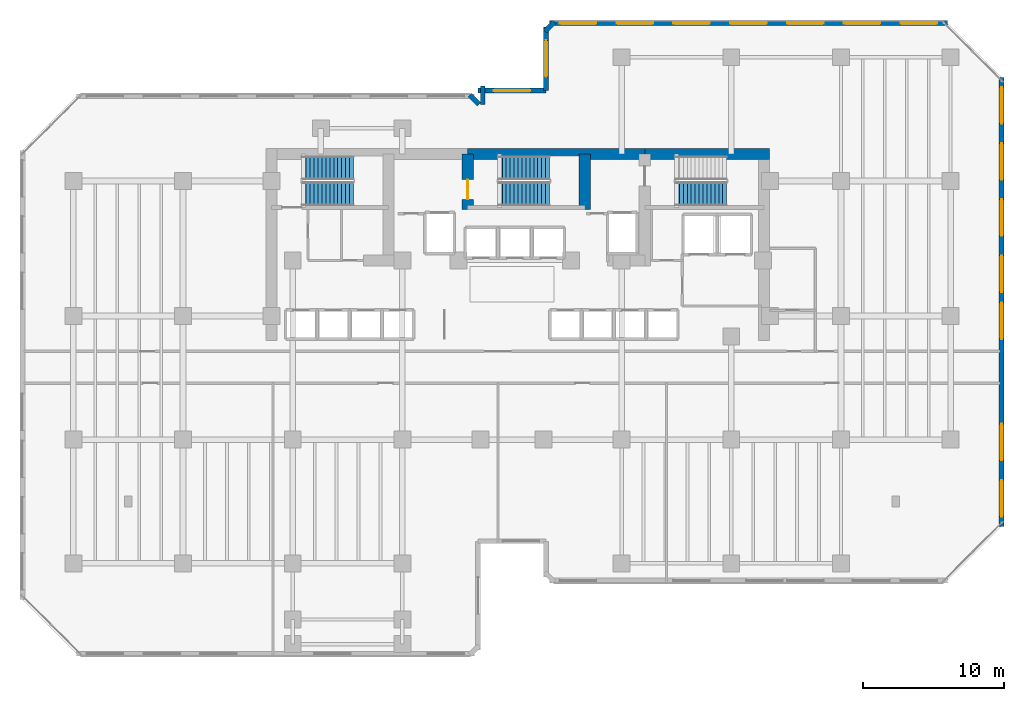
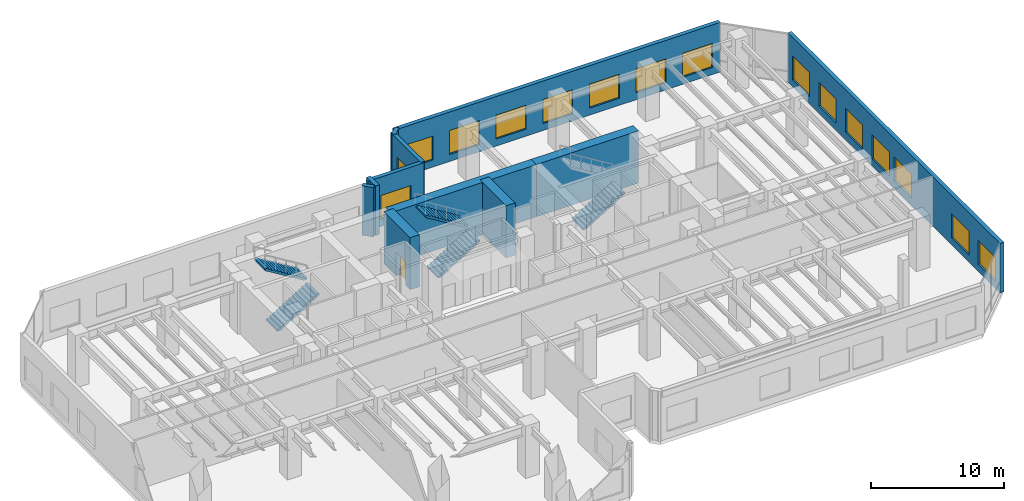
# One storey, part 13 of 17: 16 windows, 11 walls, 5 stair flights, 1 door, 17 openings, 3 elements without a shape of their own.
"""IFC4 building model written with IfcOpenShell, lengths in metres."""

from ifc_helpers import new_model, si_unit, direction, frame, frame_2d, origin, place, context, subcontext, project, spatial, polyline, rectangle, outline, extrude, material, layer, layer_set, type_object, element, fill, aggregate, save


model = new_model("IFC4")

# Units and contexts
model_context = context("Model", 3, precision=1e-05, world=origin(), true_north=direction((0.0, 1.0)))
body_context = subcontext(model_context, "Body", "Model", "MODEL_VIEW")
ifc_project = project(units=[si_unit("LENGTHUNIT", "METRE"), si_unit("AREAUNIT", "SQUARE_METRE"), si_unit("VOLUMEUNIT", "CUBIC_METRE"), si_unit("PLANEANGLEUNIT", "RADIAN"), si_unit("MASSUNIT", "GRAM", prefix="KILO")], contexts=[model_context])

# Site, building, storey
site_placement = place(None, origin())
site = spatial("IfcSite", under=ifc_project, at=site_placement, CompositionType="ELEMENT")
building_placement = place(site_placement, origin())
building = spatial("IfcBuilding", under=site, at=building_placement, Name="Kestravale Grand Hotel", CompositionType="ELEMENT")
storey_placement = place(building_placement, frame((0.0, 0.0, 129.800048828125)))
storey = spatial("IfcBuildingStorey", under=building, at=storey_placement, Name="L32", CompositionType="ELEMENT", Elevation=129.800048828125)

# Walls
ifc_material_1 = material(Name="Concrete f'c 60 MPa", Category="concrete")
ifc_layer_1 = layer(ifc_material_1, 0.800048828125)
ifc_layer_set_1 = layer_set([ifc_layer_1], Name="EW-CORE-800")
wall_type_1 = type_object("IfcWallType", Name="EW-CORE-800", PredefinedType="SHEAR", material=ifc_layer_set_1)
wall_1_placement = place(storey_placement, frame((35.85009765625, 40.320068359375, 0.0), z_axis=(0.0, 0.0, 1.0), x_axis=(1.0, 0.0, 0.0)))
element("IfcWall", 1, at=wall_1_placement, inside=storey, type_object=wall_type_1, Name="L32 core shear wall N2", PredefinedType="SHEAR", context=body_context, shape_type="SweptSolid", body=[
    extrude(rectangle(XDim=12.599853515625, YDim=0.800048828125, at=frame_2d((6.2998046875, 0.0))), origin(), (0.0, 0.0, 1.0), 4.800048828125),
])
wall_2_placement = place(storey_placement, frame((48.449951171875, 40.320068359375, 0.0), z_axis=(0.0, 0.0, 1.0), x_axis=(1.0, 0.0, 0.0)))
element("IfcWall", 2, at=wall_2_placement, inside=storey, type_object=wall_type_1, Name="L32 core shear wall N3", PredefinedType="SHEAR", context=body_context, shape_type="SweptSolid", body=[
    extrude(rectangle(XDim=8.8701171875, YDim=0.800048828125, at=frame_2d((4.43505859375, 0.0))), origin(), (0.0, 0.0, 1.0), 4.800048828125),
])

# Wall, opening, door
wall_3_placement = place(storey_placement, frame((35.85009765625, 36.3701171875, 0.0), z_axis=(0.0, 0.0, 1.0), x_axis=(0.0, 1.0, 0.0)))
wall_3 = element("IfcWall", 3, at=wall_3_placement, inside=storey, type_object=wall_type_1, Name="L32 core shear wall X2", PredefinedType="SHEAR", context=body_context, shape_type="SweptSolid", body=[
    extrude(rectangle(XDim=3.949951171875, YDim=0.800048828125, at=frame_2d((1.97509765625, 0.0))), origin(), (0.0, 0.0, 1.0), 4.800048828125),
])
opening_1_placement = place(wall_3_placement, frame((0.72998046875, 0.0, 0.0)))
opening_1 = element("IfcOpeningElement", 4, at=opening_1_placement, cuts=wall_3, Name="Opening D-ST-1400", PredefinedType="OPENING", context=body_context, shape_type="SweptSolid", body=[
    extrude(rectangle(XDim=1.39990234375, YDim=2.14990234375, at=frame_2d((0.699951171875, 1.074951171875))), frame((0.0, 0.409912109375, 0.0), z_axis=(0.0, -1.0, 0.0), x_axis=(1.0, 0.0, 0.0)), (0.0, 0.0, 1.0), 0.820068359375),
])
ifc_material_2 = material(Name="Galvanised 90-minute fire-rated steel stair door, double leaf", Category="steel")
door_type = type_object("IfcDoorType", Name="D-ST-1400", OperationType="NOTDEFINED", PredefinedType="DOOR", material=ifc_material_2)
door_placement = place(opening_1_placement, origin())
door = element("IfcDoor", 5, at=door_placement, inside=storey, type_object=door_type, Name="L32 Stair ST-2 FSAE fire door", OperationType="DOUBLE_DOOR_SINGLE_SWING", OverallHeight=2.14990234375, OverallWidth=1.39990234375, PredefinedType="DOOR", context=body_context, shape_type="SweptSolid", body=[
    extrude(rectangle(XDim=1.39990234375, YDim=2.14990234375, at=frame_2d((0.699951171875, 1.074951171875))), frame((0.0, 0.02490234375, 0.0), z_axis=(0.0, -1.0, 0.0), x_axis=(1.0, 0.0, 0.0)), (0.0, 0.0, 1.0), 0.050048828125),
])
fill(opening_1, door)

# Wall
wall_4_placement = place(storey_placement, frame((44.179931640625, 36.3701171875, 0.0), z_axis=(0.0, 0.0, 1.0), x_axis=(0.0, 1.0, 0.0)))
element("IfcWall", 6, at=wall_4_placement, inside=storey, type_object=wall_type_1, Name="L32 core shear wall X3", PredefinedType="SHEAR", context=body_context, shape_type="SweptSolid", body=[
    extrude(rectangle(XDim=3.949951171875, YDim=0.800048828125, at=frame_2d((1.97509765625, 0.0))), origin(), (0.0, 0.0, 1.0), 4.800048828125),
])

# Wall, openings, windows
ifc_material_3 = material(Name="Precast concrete f'c 45 MPa", Category="concrete")
ifc_layer_2 = layer(ifc_material_3, 0.340087890625)
ifc_layer_set_2 = layer_set([ifc_layer_2], Name="EW-PREC-340")
wall_type_2 = type_object("IfcWallType", Name="EW-PREC-340", PredefinedType="SOLIDWALL", material=ifc_layer_set_2)
wall_5_placement = place(storey_placement, frame((73.830078125, 13.830078125, 0.0), z_axis=(0.0, 0.0, 1.0), x_axis=(0.0, 1.0, 0.0)))
wall_5 = element("IfcWall", 7, at=wall_5_placement, inside=storey, type_object=wall_type_2, Name="L32 fluted precast facade wall 9", PredefinedType="SOLIDWALL", context=body_context, shape_type="SweptSolid", body=[
    extrude(rectangle(XDim=31.93994140625, YDim=0.340087890625, at=frame_2d((15.969970703125, 0.0))), origin(), (0.0, 0.0, 1.0), 4.550048828125),
])
opening_2_placement = place(wall_5_placement, frame((0.6962890625, 0.0, 0.64990234375)))
opening_2 = element("IfcOpeningElement", 8, at=opening_2_placement, cuts=wall_5, Name="Opening W-SKY-2600", PredefinedType="OPENING", context=body_context, shape_type="SweptSolid", body=[
    extrude(rectangle(XDim=2.60009765625, YDim=2.199951171875, at=frame_2d((1.300048828125, 1.10009765625))), frame((0.0, 0.179931640625, 0.0), z_axis=(0.0, -1.0, 0.0), x_axis=(1.0, 0.0, 0.0)), (0.0, 0.0, 1.0), 0.360107421875),
])
opening_3_placement = place(wall_5_placement, frame((4.688720703125, 0.0, 0.64990234375)))
opening_3 = element("IfcOpeningElement", 9, at=opening_3_placement, cuts=wall_5, Name="Opening W-SKY-2600", PredefinedType="OPENING", context=body_context, shape_type="SweptSolid", body=[
    extrude(rectangle(XDim=2.60009765625, YDim=2.199951171875, at=frame_2d((1.300048828125, 1.10009765625))), frame((0.0, 0.179931640625, 0.0), z_axis=(0.0, -1.0, 0.0), x_axis=(1.0, 0.0, 0.0)), (0.0, 0.0, 1.0), 0.360107421875),
])
opening_4_placement = place(wall_5_placement, frame((13.32373046875, 0.0, 0.64990234375)))
opening_4 = element("IfcOpeningElement", 10, at=opening_4_placement, cuts=wall_5, Name="Opening W-SKY-2600", PredefinedType="OPENING", context=body_context, shape_type="SweptSolid", body=[
    extrude(rectangle(XDim=2.60009765625, YDim=2.199951171875, at=frame_2d((1.300048828125, 1.10009765625))), frame((0.0, 0.179931640625, 0.0), z_axis=(0.0, -1.0, 0.0), x_axis=(1.0, 0.0, 0.0)), (0.0, 0.0, 1.0), 0.360107421875),
])
opening_5_placement = place(wall_5_placement, frame((16.666259765625, 0.0, 0.64990234375)))
opening_5 = element("IfcOpeningElement", 11, at=opening_5_placement, cuts=wall_5, Name="Opening W-SKY-2600", PredefinedType="OPENING", context=body_context, shape_type="SweptSolid", body=[
    extrude(rectangle(XDim=2.60009765625, YDim=2.199951171875, at=frame_2d((1.300048828125, 1.10009765625))), frame((0.0, 0.179931640625, 0.0), z_axis=(0.0, -1.0, 0.0), x_axis=(1.0, 0.0, 0.0)), (0.0, 0.0, 1.0), 0.360107421875),
])
opening_6_placement = place(wall_5_placement, frame((20.65869140625, 0.0, 0.64990234375)))
opening_6 = element("IfcOpeningElement", 12, at=opening_6_placement, cuts=wall_5, Name="Opening W-SKY-2600", PredefinedType="OPENING", context=body_context, shape_type="SweptSolid", body=[
    extrude(rectangle(XDim=2.60009765625, YDim=2.199951171875, at=frame_2d((1.300048828125, 1.10009765625))), frame((0.0, 0.179931640625, 0.0), z_axis=(0.0, -1.0, 0.0), x_axis=(1.0, 0.0, 0.0)), (0.0, 0.0, 1.0), 0.360107421875),
])
opening_7_placement = place(wall_5_placement, frame((24.6513671875, 0.0, 0.64990234375)))
opening_7 = element("IfcOpeningElement", 13, at=opening_7_placement, cuts=wall_5, Name="Opening W-SKY-2600", PredefinedType="OPENING", context=body_context, shape_type="SweptSolid", body=[
    extrude(rectangle(XDim=2.60009765625, YDim=2.199951171875, at=frame_2d((1.300048828125, 1.10009765625))), frame((0.0, 0.179931640625, 0.0), z_axis=(0.0, -1.0, 0.0), x_axis=(1.0, 0.0, 0.0)), (0.0, 0.0, 1.0), 0.360107421875),
])
opening_8_placement = place(wall_5_placement, frame((28.643798828125, 0.0, 0.64990234375)))
opening_8 = element("IfcOpeningElement", 14, at=opening_8_placement, cuts=wall_5, Name="Opening W-SKY-2600", PredefinedType="OPENING", context=body_context, shape_type="SweptSolid", body=[
    extrude(rectangle(XDim=2.60009765625, YDim=2.199951171875, at=frame_2d((1.300048828125, 1.10009765625))), frame((0.0, 0.179931640625, 0.0), z_axis=(0.0, -1.0, 0.0), x_axis=(1.0, 0.0, 0.0)), (0.0, 0.0, 1.0), 0.360107421875),
])
ifc_material_4 = material(Name="Insulated low-E double glazing in aluminium frame", Category="aluminium")
window_type = type_object("IfcWindowType", Name="W-SKY-2600", PartitioningType="TRIPLE_PANEL_VERTICAL", PredefinedType="WINDOW", material=ifc_material_4)
window_1_placement = place(opening_2_placement, origin())
window_1 = element("IfcWindow", 15, at=window_1_placement, inside=storey, type_object=window_type, Name="L32 exterior window 9.1", OverallHeight=2.199951171875, OverallWidth=2.60009765625, PartitioningType="SINGLE_PANEL", PredefinedType="WINDOW", context=body_context, shape_type="SweptSolid", body=[
    extrude(rectangle(XDim=2.60009765625, YDim=2.199951171875, at=frame_2d((1.300048828125, 1.10009765625))), frame((0.0, 0.030029296875, 0.0), z_axis=(0.0, -1.0, 0.0), x_axis=(1.0, 0.0, 0.0)), (0.0, 0.0, 1.0), 0.06005859375),
])
fill(opening_2, window_1)
window_2_placement = place(opening_3_placement, origin())
window_2 = element("IfcWindow", 16, at=window_2_placement, inside=storey, type_object=window_type, Name="L32 exterior window 9.2", OverallHeight=2.199951171875, OverallWidth=2.60009765625, PartitioningType="SINGLE_PANEL", PredefinedType="WINDOW", context=body_context, shape_type="SweptSolid", body=[
    extrude(rectangle(XDim=2.60009765625, YDim=2.199951171875, at=frame_2d((1.300048828125, 1.10009765625))), frame((0.0, 0.030029296875, 0.0), z_axis=(0.0, -1.0, 0.0), x_axis=(1.0, 0.0, 0.0)), (0.0, 0.0, 1.0), 0.06005859375),
])
fill(opening_3, window_2)
window_3_placement = place(opening_4_placement, origin())
window_3 = element("IfcWindow", 17, at=window_3_placement, inside=storey, type_object=window_type, Name="L32 exterior window 9.3", OverallHeight=2.199951171875, OverallWidth=2.60009765625, PartitioningType="SINGLE_PANEL", PredefinedType="WINDOW", context=body_context, shape_type="SweptSolid", body=[
    extrude(rectangle(XDim=2.60009765625, YDim=2.199951171875, at=frame_2d((1.300048828125, 1.10009765625))), frame((0.0, 0.030029296875, 0.0), z_axis=(0.0, -1.0, 0.0), x_axis=(1.0, 0.0, 0.0)), (0.0, 0.0, 1.0), 0.06005859375),
])
fill(opening_4, window_3)
window_4_placement = place(opening_5_placement, origin())
window_4 = element("IfcWindow", 18, at=window_4_placement, inside=storey, type_object=window_type, Name="L32 exterior window 9.4", OverallHeight=2.199951171875, OverallWidth=2.60009765625, PartitioningType="SINGLE_PANEL", PredefinedType="WINDOW", context=body_context, shape_type="SweptSolid", body=[
    extrude(rectangle(XDim=2.60009765625, YDim=2.199951171875, at=frame_2d((1.300048828125, 1.10009765625))), frame((0.0, 0.030029296875, 0.0), z_axis=(0.0, -1.0, 0.0), x_axis=(1.0, 0.0, 0.0)), (0.0, 0.0, 1.0), 0.06005859375),
])
fill(opening_5, window_4)
window_5_placement = place(opening_6_placement, origin())
window_5 = element("IfcWindow", 19, at=window_5_placement, inside=storey, type_object=window_type, Name="L32 exterior window 9.5", OverallHeight=2.199951171875, OverallWidth=2.60009765625, PartitioningType="SINGLE_PANEL", PredefinedType="WINDOW", context=body_context, shape_type="SweptSolid", body=[
    extrude(rectangle(XDim=2.60009765625, YDim=2.199951171875, at=frame_2d((1.300048828125, 1.10009765625))), frame((0.0, 0.030029296875, 0.0), z_axis=(0.0, -1.0, 0.0), x_axis=(1.0, 0.0, 0.0)), (0.0, 0.0, 1.0), 0.06005859375),
])
fill(opening_6, window_5)
window_6_placement = place(opening_7_placement, origin())
window_6 = element("IfcWindow", 20, at=window_6_placement, inside=storey, type_object=window_type, Name="L32 exterior window 9.6", OverallHeight=2.199951171875, OverallWidth=2.60009765625, PartitioningType="SINGLE_PANEL", PredefinedType="WINDOW", context=body_context, shape_type="SweptSolid", body=[
    extrude(rectangle(XDim=2.60009765625, YDim=2.199951171875, at=frame_2d((1.300048828125, 1.10009765625))), frame((0.0, 0.030029296875, 0.0), z_axis=(0.0, -1.0, 0.0), x_axis=(1.0, 0.0, 0.0)), (0.0, 0.0, 1.0), 0.06005859375),
])
fill(opening_7, window_6)
window_7_placement = place(opening_8_placement, origin())
window_7 = element("IfcWindow", 21, at=window_7_placement, inside=storey, type_object=window_type, Name="L32 exterior window 9.7", OverallHeight=2.199951171875, OverallWidth=2.60009765625, PartitioningType="SINGLE_PANEL", PredefinedType="WINDOW", context=body_context, shape_type="SweptSolid", body=[
    extrude(rectangle(XDim=2.60009765625, YDim=2.199951171875, at=frame_2d((1.300048828125, 1.10009765625))), frame((0.0, 0.030029296875, 0.0), z_axis=(0.0, -1.0, 0.0), x_axis=(1.0, 0.0, 0.0)), (0.0, 0.0, 1.0), 0.06005859375),
])
fill(opening_8, window_7)

wall_6_placement = place(storey_placement, frame((69.969970703125, 49.6298828125, 0.0), z_axis=(0.0, 0.0, 1.0), x_axis=(-1.0, 0.0, 0.0)))
wall_6 = element("IfcWall", 22, at=wall_6_placement, inside=storey, type_object=wall_type_2, Name="L32 fluted precast facade wall 11", PredefinedType="SOLIDWALL", context=body_context, shape_type="SweptSolid", body=[
    extrude(rectangle(XDim=28.2900390625, YDim=0.340087890625, at=frame_2d((14.14501953125, 0.0))), origin(), (0.0, 0.0, 1.0), 4.550048828125),
])
opening_9_placement = place(wall_6_placement, frame((0.720703125, 0.0, 0.64990234375)))
opening_9 = element("IfcOpeningElement", 23, at=opening_9_placement, cuts=wall_6, Name="Opening W-SKY-2600", PredefinedType="OPENING", context=body_context, shape_type="SweptSolid", body=[
    extrude(rectangle(XDim=2.60009765625, YDim=2.199951171875, at=frame_2d((1.300048828125, 1.10009765625))), frame((0.0, 0.179931640625, 0.0), z_axis=(0.0, -1.0, 0.0), x_axis=(1.0, 0.0, 0.0)), (0.0, 0.0, 1.0), 0.360107421875),
])
opening_10_placement = place(wall_6_placement, frame((4.76220703125, 0.0, 0.64990234375)))
opening_10 = element("IfcOpeningElement", 24, at=opening_10_placement, cuts=wall_6, Name="Opening W-SKY-2600", PredefinedType="OPENING", context=body_context, shape_type="SweptSolid", body=[
    extrude(rectangle(XDim=2.60009765625, YDim=2.199951171875, at=frame_2d((1.300048828125, 1.10009765625))), frame((0.0, 0.179931640625, 0.0), z_axis=(0.0, -1.0, 0.0), x_axis=(1.0, 0.0, 0.0)), (0.0, 0.0, 1.0), 0.360107421875),
])
opening_11_placement = place(wall_6_placement, frame((8.8037109375, 0.0, 0.64990234375)))
opening_11 = element("IfcOpeningElement", 25, at=opening_11_placement, cuts=wall_6, Name="Opening W-SKY-2600", PredefinedType="OPENING", context=body_context, shape_type="SweptSolid", body=[
    extrude(rectangle(XDim=2.60009765625, YDim=2.199951171875, at=frame_2d((1.300048828125, 1.10009765625))), frame((0.0, 0.179931640625, 0.0), z_axis=(0.0, -1.0, 0.0), x_axis=(1.0, 0.0, 0.0)), (0.0, 0.0, 1.0), 0.360107421875),
])
opening_12_placement = place(wall_6_placement, frame((12.844970703125, 0.0, 0.64990234375)))
opening_12 = element("IfcOpeningElement", 26, at=opening_12_placement, cuts=wall_6, Name="Opening W-SKY-2600", PredefinedType="OPENING", context=body_context, shape_type="SweptSolid", body=[
    extrude(rectangle(XDim=2.60009765625, YDim=2.199951171875, at=frame_2d((1.300048828125, 1.10009765625))), frame((0.0, 0.179931640625, 0.0), z_axis=(0.0, -1.0, 0.0), x_axis=(1.0, 0.0, 0.0)), (0.0, 0.0, 1.0), 0.360107421875),
])
opening_13_placement = place(wall_6_placement, frame((16.886474609375, 0.0, 0.64990234375)))
opening_13 = element("IfcOpeningElement", 27, at=opening_13_placement, cuts=wall_6, Name="Opening W-SKY-2600", PredefinedType="OPENING", context=body_context, shape_type="SweptSolid", body=[
    extrude(rectangle(XDim=2.60009765625, YDim=2.199951171875, at=frame_2d((1.300048828125, 1.10009765625))), frame((0.0, 0.179931640625, 0.0), z_axis=(0.0, -1.0, 0.0), x_axis=(1.0, 0.0, 0.0)), (0.0, 0.0, 1.0), 0.360107421875),
])
opening_14_placement = place(wall_6_placement, frame((20.927978515625, 0.0, 0.64990234375)))
opening_14 = element("IfcOpeningElement", 28, at=opening_14_placement, cuts=wall_6, Name="Opening W-SKY-2600", PredefinedType="OPENING", context=body_context, shape_type="SweptSolid", body=[
    extrude(rectangle(XDim=2.60009765625, YDim=2.199951171875, at=frame_2d((1.300048828125, 1.10009765625))), frame((0.0, 0.179931640625, 0.0), z_axis=(0.0, -1.0, 0.0), x_axis=(1.0, 0.0, 0.0)), (0.0, 0.0, 1.0), 0.360107421875),
])
opening_15_placement = place(wall_6_placement, frame((24.96923828125, 0.0, 0.64990234375)))
opening_15 = element("IfcOpeningElement", 29, at=opening_15_placement, cuts=wall_6, Name="Opening W-SKY-2600", PredefinedType="OPENING", context=body_context, shape_type="SweptSolid", body=[
    extrude(rectangle(XDim=2.60009765625, YDim=2.199951171875, at=frame_2d((1.300048828125, 1.10009765625))), frame((0.0, 0.179931640625, 0.0), z_axis=(0.0, -1.0, 0.0), x_axis=(1.0, 0.0, 0.0)), (0.0, 0.0, 1.0), 0.360107421875),
])
window_8_placement = place(opening_9_placement, origin())
window_8 = element("IfcWindow", 30, at=window_8_placement, inside=storey, type_object=window_type, Name="L32 exterior window 11.1", OverallHeight=2.199951171875, OverallWidth=2.60009765625, PartitioningType="SINGLE_PANEL", PredefinedType="WINDOW", context=body_context, shape_type="SweptSolid", body=[
    extrude(rectangle(XDim=2.60009765625, YDim=2.199951171875, at=frame_2d((1.300048828125, 1.10009765625))), frame((0.0, 0.030029296875, 0.0), z_axis=(0.0, -1.0, 0.0), x_axis=(1.0, 0.0, 0.0)), (0.0, 0.0, 1.0), 0.06005859375),
])
fill(opening_9, window_8)
window_9_placement = place(opening_10_placement, origin())
window_9 = element("IfcWindow", 31, at=window_9_placement, inside=storey, type_object=window_type, Name="L32 exterior window 11.2", OverallHeight=2.199951171875, OverallWidth=2.60009765625, PartitioningType="SINGLE_PANEL", PredefinedType="WINDOW", context=body_context, shape_type="SweptSolid", body=[
    extrude(rectangle(XDim=2.60009765625, YDim=2.199951171875, at=frame_2d((1.300048828125, 1.10009765625))), frame((0.0, 0.030029296875, 0.0), z_axis=(0.0, -1.0, 0.0), x_axis=(1.0, 0.0, 0.0)), (0.0, 0.0, 1.0), 0.06005859375),
])
fill(opening_10, window_9)
window_10_placement = place(opening_11_placement, origin())
window_10 = element("IfcWindow", 32, at=window_10_placement, inside=storey, type_object=window_type, Name="L32 exterior window 11.3", OverallHeight=2.199951171875, OverallWidth=2.60009765625, PartitioningType="SINGLE_PANEL", PredefinedType="WINDOW", context=body_context, shape_type="SweptSolid", body=[
    extrude(rectangle(XDim=2.60009765625, YDim=2.199951171875, at=frame_2d((1.300048828125, 1.10009765625))), frame((0.0, 0.030029296875, 0.0), z_axis=(0.0, -1.0, 0.0), x_axis=(1.0, 0.0, 0.0)), (0.0, 0.0, 1.0), 0.06005859375),
])
fill(opening_11, window_10)
window_11_placement = place(opening_12_placement, origin())
window_11 = element("IfcWindow", 33, at=window_11_placement, inside=storey, type_object=window_type, Name="L32 exterior window 11.4", OverallHeight=2.199951171875, OverallWidth=2.60009765625, PartitioningType="SINGLE_PANEL", PredefinedType="WINDOW", context=body_context, shape_type="SweptSolid", body=[
    extrude(rectangle(XDim=2.60009765625, YDim=2.199951171875, at=frame_2d((1.300048828125, 1.10009765625))), frame((0.0, 0.030029296875, 0.0), z_axis=(0.0, -1.0, 0.0), x_axis=(1.0, 0.0, 0.0)), (0.0, 0.0, 1.0), 0.06005859375),
])
fill(opening_12, window_11)
window_12_placement = place(opening_13_placement, origin())
window_12 = element("IfcWindow", 34, at=window_12_placement, inside=storey, type_object=window_type, Name="L32 exterior window 11.5", OverallHeight=2.199951171875, OverallWidth=2.60009765625, PartitioningType="SINGLE_PANEL", PredefinedType="WINDOW", context=body_context, shape_type="SweptSolid", body=[
    extrude(rectangle(XDim=2.60009765625, YDim=2.199951171875, at=frame_2d((1.300048828125, 1.10009765625))), frame((0.0, 0.030029296875, 0.0), z_axis=(0.0, -1.0, 0.0), x_axis=(1.0, 0.0, 0.0)), (0.0, 0.0, 1.0), 0.06005859375),
])
fill(opening_13, window_12)
window_13_placement = place(opening_14_placement, origin())
window_13 = element("IfcWindow", 35, at=window_13_placement, inside=storey, type_object=window_type, Name="L32 exterior window 11.6", OverallHeight=2.199951171875, OverallWidth=2.60009765625, PartitioningType="SINGLE_PANEL", PredefinedType="WINDOW", context=body_context, shape_type="SweptSolid", body=[
    extrude(rectangle(XDim=2.60009765625, YDim=2.199951171875, at=frame_2d((1.300048828125, 1.10009765625))), frame((0.0, 0.030029296875, 0.0), z_axis=(0.0, -1.0, 0.0), x_axis=(1.0, 0.0, 0.0)), (0.0, 0.0, 1.0), 0.06005859375),
])
fill(opening_14, window_13)
window_14_placement = place(opening_15_placement, origin())
window_14 = element("IfcWindow", 36, at=window_14_placement, inside=storey, type_object=window_type, Name="L32 exterior window 11.7", OverallHeight=2.199951171875, OverallWidth=2.60009765625, PartitioningType="SINGLE_PANEL", PredefinedType="WINDOW", context=body_context, shape_type="SweptSolid", body=[
    extrude(rectangle(XDim=2.60009765625, YDim=2.199951171875, at=frame_2d((1.300048828125, 1.10009765625))), frame((0.0, 0.030029296875, 0.0), z_axis=(0.0, -1.0, 0.0), x_axis=(1.0, 0.0, 0.0)), (0.0, 0.0, 1.0), 0.06005859375),
])
fill(opening_15, window_14)

# Wall
wall_7_placement = place(storey_placement, frame((41.99853515625, 49.7080078125, 0.0), z_axis=(0.0, 0.0, 1.0), x_axis=(-0.707238225886, -0.706975312048, 0.0)))
element("IfcWall", 37, at=wall_7_placement, inside=storey, type_object=wall_type_2, Name="L32 fluted precast facade wall 12", PredefinedType="SOLIDWALL", context=body_context, shape_type="SweptSolid", body=[
    extrude(rectangle(XDim=0.9287109375, YDim=0.340087890625, at=frame_2d((0.46435546875, 0.0))), origin(), (0.0, 0.0, 1.0), 4.550048828125),
])

# Wall, opening, window
wall_8_placement = place(storey_placement, frame((41.419921875, 49.3701171875, 0.0), z_axis=(0.0, 0.0, 1.0), x_axis=(0.0, -1.0, 0.0)))
wall_8 = element("IfcWall", 38, at=wall_8_placement, inside=storey, type_object=wall_type_2, Name="L32 fluted precast facade wall 13", PredefinedType="SOLIDWALL", context=body_context, shape_type="SweptSolid", body=[
    extrude(rectangle(XDim=4.5400390625, YDim=0.340087890625, at=frame_2d((2.27001953125, 0.0))), origin(), (0.0, 0.0, 1.0), 4.550048828125),
])
opening_16_placement = place(wall_8_placement, frame((0.969970703125, 0.0, 0.64990234375)))
opening_16 = element("IfcOpeningElement", 39, at=opening_16_placement, cuts=wall_8, Name="Opening W-SKY-2600", PredefinedType="OPENING", context=body_context, shape_type="SweptSolid", body=[
    extrude(rectangle(XDim=2.60009765625, YDim=2.199951171875, at=frame_2d((1.300048828125, 1.10009765625))), frame((0.0, 0.179931640625, 0.0), z_axis=(0.0, -1.0, 0.0), x_axis=(1.0, 0.0, 0.0)), (0.0, 0.0, 1.0), 0.360107421875),
])
window_15_placement = place(opening_16_placement, origin())
window_15 = element("IfcWindow", 40, at=window_15_placement, inside=storey, type_object=window_type, Name="L32 exterior window 13.1", OverallHeight=2.199951171875, OverallWidth=2.60009765625, PartitioningType="SINGLE_PANEL", PredefinedType="WINDOW", context=body_context, shape_type="SweptSolid", body=[
    extrude(rectangle(XDim=2.60009765625, YDim=2.199951171875, at=frame_2d((1.300048828125, 1.10009765625))), frame((0.0, 0.030029296875, 0.0), z_axis=(0.0, -1.0, 0.0), x_axis=(1.0, 0.0, 0.0)), (0.0, 0.0, 1.0), 0.06005859375),
])
fill(opening_16, window_15)

wall_9_placement = place(storey_placement, frame((41.419921875, 44.830078125, 0.0), z_axis=(0.0, 0.0, 1.0), x_axis=(-1.0, 0.0, 0.0)))
wall_9 = element("IfcWall", 41, at=wall_9_placement, inside=storey, type_object=wall_type_2, Name="L32 fluted precast facade wall 14", PredefinedType="SOLIDWALL", context=body_context, shape_type="SweptSolid", body=[
    extrude(rectangle(XDim=4.83984375, YDim=0.340087890625, at=frame_2d((2.419921875, 0.0))), origin(), (0.0, 0.0, 1.0), 4.550048828125),
])
opening_17_placement = place(wall_9_placement, frame((1.1201171875, 0.0, 0.64990234375)))
opening_17 = element("IfcOpeningElement", 42, at=opening_17_placement, cuts=wall_9, Name="Opening W-SKY-2600", PredefinedType="OPENING", context=body_context, shape_type="SweptSolid", body=[
    extrude(rectangle(XDim=2.60009765625, YDim=2.199951171875, at=frame_2d((1.300048828125, 1.10009765625))), frame((0.0, 0.179931640625, 0.0), z_axis=(0.0, -1.0, 0.0), x_axis=(1.0, 0.0, 0.0)), (0.0, 0.0, 1.0), 0.360107421875),
])
window_16_placement = place(opening_17_placement, origin())
window_16 = element("IfcWindow", 43, at=window_16_placement, inside=storey, type_object=window_type, Name="L32 exterior window 14.1", OverallHeight=2.199951171875, OverallWidth=2.60009765625, PartitioningType="SINGLE_PANEL", PredefinedType="WINDOW", context=body_context, shape_type="SweptSolid", body=[
    extrude(rectangle(XDim=2.60009765625, YDim=2.199951171875, at=frame_2d((1.300048828125, 1.10009765625))), frame((0.0, 0.030029296875, 0.0), z_axis=(0.0, -1.0, 0.0), x_axis=(1.0, 0.0, 0.0)), (0.0, 0.0, 1.0), 0.06005859375),
])
fill(opening_17, window_16)

# Walls
wall_10_placement = place(storey_placement, frame((36.919921875, 45.169921875, 0.0), z_axis=(0.0, 0.0, 1.0), x_axis=(0.0, -1.0, 0.0)))
element("IfcWall", 44, at=wall_10_placement, inside=storey, type_object=wall_type_2, Name="L32 fluted precast facade wall 15", PredefinedType="SOLIDWALL", context=body_context, shape_type="SweptSolid", body=[
    extrude(rectangle(XDim=1.33984375, YDim=0.340087890625, at=frame_2d((0.669921875, 0.0))), origin(), (0.0, 0.0, 1.0), 4.550048828125),
])
wall_11_placement = place(storey_placement, frame((36.658203125, 43.8515625, 0.0), z_axis=(0.0, 0.0, 1.0), x_axis=(-0.707238225886, 0.706975312048, 0.0)))
element("IfcWall", 45, at=wall_11_placement, inside=storey, type_object=wall_type_2, Name="L32 fluted precast facade wall 16", PredefinedType="SOLIDWALL", context=body_context, shape_type="SweptSolid", body=[
    extrude(rectangle(XDim=0.9287109375, YDim=0.340087890625, at=frame_2d((0.46435546875, 0.0))), origin(), (0.0, 0.0, 1.0), 4.550048828125),
])

# Stair, stair flights
ifc_material_5 = material(Name="Concrete f'c 45 MPa", Category="concrete")
stair_type = type_object("IfcStairType", Name="ST-CORE-480", PredefinedType="HALF_TURN_STAIR", material=ifc_material_5)
stair_1_placement = place(storey_placement, origin())
stair_1 = element("IfcStair", 46, at=stair_1_placement, inside=storey, type_object=stair_type, Name="L32 ST-1", PredefinedType="HALF_TURN_STAIR")
ifc_material_6 = material(Name="Concrete f'c 45 MPa", Category="concrete")
stair_flight_type = type_object("IfcStairFlightType", Name="STF-CORE-480", PredefinedType="STRAIGHT", material=ifc_material_6)
stair_flight_1_placement = place(storey_placement, frame((24.080078125, 37.489990234375, 0.0), z_axis=(0.0, 0.0, 1.0), x_axis=(1.0, 0.0, 0.0)))
stair_flight_1 = element("IfcStairFlight", 47, at=stair_flight_1_placement, type_object=stair_flight_type, Name="ST-1 flight 1", NumberOfRisers=14, NumberOfTreads=13, PredefinedType="STRAIGHT", RiserHeight=0.171428571, TreadLength=0.28, context=body_context, shape_type="SweptSolid", body=[
    extrude(outline(polyline([(0.0, 0.0), (0.0, 0.17138671875), (0.280029296875, 0.17138671875), (0.280029296875, 0.3427734375), (0.56005859375, 0.3427734375), (0.56005859375, 0.514404296875), (0.840087890625, 0.514404296875), (0.840087890625, 0.685791015625), (1.1201171875, 0.685791015625), (1.1201171875, 0.857177734375), (1.39990234375, 0.857177734375), (1.39990234375, 1.028564453125), (1.679931640625, 1.028564453125), (1.679931640625, 1.199951171875), (1.9599609375, 1.199951171875), (1.9599609375, 1.371337890625), (2.239990234375, 1.371337890625), (2.239990234375, 1.54296875), (2.52001953125, 1.54296875), (2.52001953125, 1.71435546875), (2.800048828125, 1.71435546875), (2.800048828125, 1.8857421875), (3.080078125, 1.8857421875), (3.080078125, 2.05712890625), (3.360107421875, 2.05712890625), (3.360107421875, 2.228515625), (3.639892578125, 2.228515625), (3.639892578125, 2.39990234375), (3.639892578125, 2.052734375), (0.287109375, 0.0), (0.0, 0.0)])), frame((0.0, 0.83984375, 0.0), z_axis=(0.0, -1.0, 0.0), x_axis=(1.0, 0.0, 0.0)), (0.0, 0.0, 1.0), 1.679931640625),
])
stair_flight_2_placement = place(storey_placement, frame((27.719970703125, 39.320068359375, 2.39990234375), z_axis=(0.0, 0.0, 1.0), x_axis=(-1.0, 0.0, 0.0)))
stair_flight_2 = element("IfcStairFlight", 48, at=stair_flight_2_placement, type_object=stair_flight_type, Name="ST-1 flight 2", NumberOfRisers=14, NumberOfTreads=13, PredefinedType="STRAIGHT", RiserHeight=0.171428571, TreadLength=0.28, context=body_context, shape_type="SweptSolid", body=[
    extrude(outline(polyline([(0.0, 0.0), (0.0, 0.17138671875), (0.280029296875, 0.17138671875), (0.280029296875, 0.3427734375), (0.56005859375, 0.3427734375), (0.56005859375, 0.514404296875), (0.840087890625, 0.514404296875), (0.840087890625, 0.685791015625), (1.1201171875, 0.685791015625), (1.1201171875, 0.857177734375), (1.39990234375, 0.857177734375), (1.39990234375, 1.028564453125), (1.679931640625, 1.028564453125), (1.679931640625, 1.199951171875), (1.9599609375, 1.199951171875), (1.9599609375, 1.371337890625), (2.239990234375, 1.371337890625), (2.239990234375, 1.54296875), (2.52001953125, 1.54296875), (2.52001953125, 1.71435546875), (2.800048828125, 1.71435546875), (2.800048828125, 1.8857421875), (3.080078125, 1.8857421875), (3.080078125, 2.05712890625), (3.360107421875, 2.05712890625), (3.360107421875, 2.228515625), (3.639892578125, 2.228515625), (3.639892578125, 2.39990234375), (3.639892578125, 2.052734375), (0.287109375, 0.0), (0.0, 0.0)])), frame((0.0, 0.83984375, 0.0), z_axis=(0.0, -1.0, 0.0), x_axis=(1.0, 0.0, 0.0)), (0.0, 0.0, 1.0), 1.679931640625),
])
aggregate(stair_1, [stair_flight_1, stair_flight_2])

stair_2_placement = place(storey_placement, origin())
stair_2 = element("IfcStair", 49, at=stair_2_placement, inside=storey, type_object=stair_type, Name="L32 ST-2", PredefinedType="HALF_TURN_STAIR")
stair_flight_3_placement = place(storey_placement, frame((38.030029296875, 37.489990234375, 0.0), z_axis=(0.0, 0.0, 1.0), x_axis=(1.0, 0.0, 0.0)))
stair_flight_3 = element("IfcStairFlight", 50, at=stair_flight_3_placement, type_object=stair_flight_type, Name="ST-2 flight 1", NumberOfRisers=14, NumberOfTreads=13, PredefinedType="STRAIGHT", RiserHeight=0.171428571, TreadLength=0.28, context=body_context, shape_type="SweptSolid", body=[
    extrude(outline(polyline([(0.0, 0.0), (0.0, 0.17138671875), (0.280029296875, 0.17138671875), (0.280029296875, 0.3427734375), (0.56005859375, 0.3427734375), (0.56005859375, 0.514404296875), (0.840087890625, 0.514404296875), (0.840087890625, 0.685791015625), (1.1201171875, 0.685791015625), (1.1201171875, 0.857177734375), (1.39990234375, 0.857177734375), (1.39990234375, 1.028564453125), (1.679931640625, 1.028564453125), (1.679931640625, 1.199951171875), (1.9599609375, 1.199951171875), (1.9599609375, 1.371337890625), (2.239990234375, 1.371337890625), (2.239990234375, 1.54296875), (2.52001953125, 1.54296875), (2.52001953125, 1.71435546875), (2.800048828125, 1.71435546875), (2.800048828125, 1.8857421875), (3.080078125, 1.8857421875), (3.080078125, 2.05712890625), (3.360107421875, 2.05712890625), (3.360107421875, 2.228515625), (3.639892578125, 2.228515625), (3.639892578125, 2.39990234375), (3.639892578125, 2.052734375), (0.287109375, 0.0), (0.0, 0.0)])), frame((0.0, 0.83984375, 0.0), z_axis=(0.0, -1.0, 0.0), x_axis=(1.0, 0.0, 0.0)), (0.0, 0.0, 1.0), 1.679931640625),
])
stair_flight_4_placement = place(storey_placement, frame((41.669921875, 39.320068359375, 2.39990234375), z_axis=(0.0, 0.0, 1.0), x_axis=(-1.0, 0.0, 0.0)))
stair_flight_4 = element("IfcStairFlight", 51, at=stair_flight_4_placement, type_object=stair_flight_type, Name="ST-2 flight 2", NumberOfRisers=14, NumberOfTreads=13, PredefinedType="STRAIGHT", RiserHeight=0.171428571, TreadLength=0.28, context=body_context, shape_type="SweptSolid", body=[
    extrude(outline(polyline([(0.0, 0.0), (0.0, 0.17138671875), (0.280029296875, 0.17138671875), (0.280029296875, 0.3427734375), (0.56005859375, 0.3427734375), (0.56005859375, 0.514404296875), (0.840087890625, 0.514404296875), (0.840087890625, 0.685791015625), (1.1201171875, 0.685791015625), (1.1201171875, 0.857177734375), (1.39990234375, 0.857177734375), (1.39990234375, 1.028564453125), (1.679931640625, 1.028564453125), (1.679931640625, 1.199951171875), (1.9599609375, 1.199951171875), (1.9599609375, 1.371337890625), (2.239990234375, 1.371337890625), (2.239990234375, 1.54296875), (2.52001953125, 1.54296875), (2.52001953125, 1.71435546875), (2.800048828125, 1.71435546875), (2.800048828125, 1.8857421875), (3.080078125, 1.8857421875), (3.080078125, 2.05712890625), (3.360107421875, 2.05712890625), (3.360107421875, 2.228515625), (3.639892578125, 2.228515625), (3.639892578125, 2.39990234375), (3.639892578125, 2.052734375), (0.287109375, 0.0), (0.0, 0.0)])), frame((0.0, 0.83984375, 0.0), z_axis=(0.0, -1.0, 0.0), x_axis=(1.0, 0.0, 0.0)), (0.0, 0.0, 1.0), 1.679931640625),
])
aggregate(stair_2, [stair_flight_3, stair_flight_4])

# Stair, stair flight
stair_3_placement = place(storey_placement, origin())
stair_3 = element("IfcStair", 52, at=stair_3_placement, inside=storey, type_object=stair_type, Name="L32 ST-3", PredefinedType="HALF_TURN_STAIR")
stair_flight_5_placement = place(storey_placement, frame((50.6298828125, 37.489990234375, 0.0), z_axis=(0.0, 0.0, 1.0), x_axis=(1.0, 0.0, 0.0)))
stair_flight_5 = element("IfcStairFlight", 53, at=stair_flight_5_placement, type_object=stair_flight_type, Name="ST-3 flight 1", NumberOfRisers=14, NumberOfTreads=13, PredefinedType="STRAIGHT", RiserHeight=0.171428571, TreadLength=0.28, context=body_context, shape_type="SweptSolid", body=[
    extrude(outline(polyline([(0.0, 0.0), (0.0, 0.17138671875), (0.280029296875, 0.17138671875), (0.280029296875, 0.3427734375), (0.56005859375, 0.3427734375), (0.56005859375, 0.514404296875), (0.840087890625, 0.514404296875), (0.840087890625, 0.685791015625), (1.1201171875, 0.685791015625), (1.1201171875, 0.857177734375), (1.39990234375, 0.857177734375), (1.39990234375, 1.028564453125), (1.679931640625, 1.028564453125), (1.679931640625, 1.199951171875), (1.9599609375, 1.199951171875), (1.9599609375, 1.371337890625), (2.239990234375, 1.371337890625), (2.239990234375, 1.54296875), (2.52001953125, 1.54296875), (2.52001953125, 1.71435546875), (2.800048828125, 1.71435546875), (2.800048828125, 1.8857421875), (3.080078125, 1.8857421875), (3.080078125, 2.05712890625), (3.360107421875, 2.05712890625), (3.360107421875, 2.228515625), (3.639892578125, 2.228515625), (3.639892578125, 2.39990234375), (3.639892578125, 2.052734375), (0.287109375, 0.0), (0.0, 0.0)])), frame((0.0, 0.83984375, 0.0), z_axis=(0.0, -1.0, 0.0), x_axis=(1.0, 0.0, 0.0)), (0.0, 0.0, 1.0), 1.679931640625),
])
aggregate(stair_3, [stair_flight_5])

save(model, "model.ifc")
